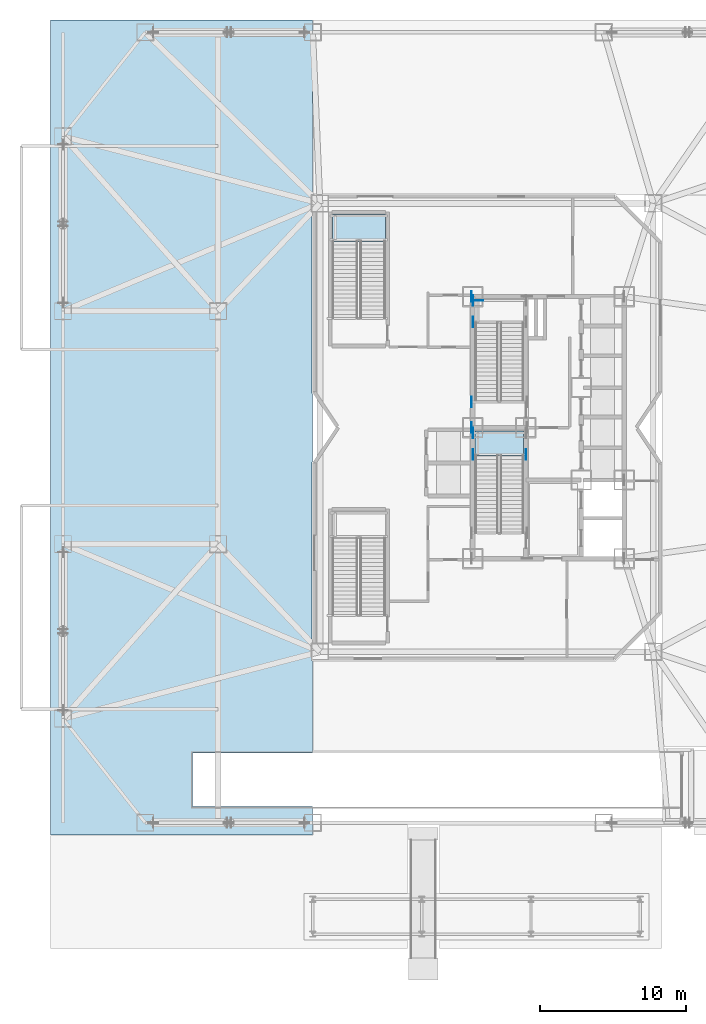
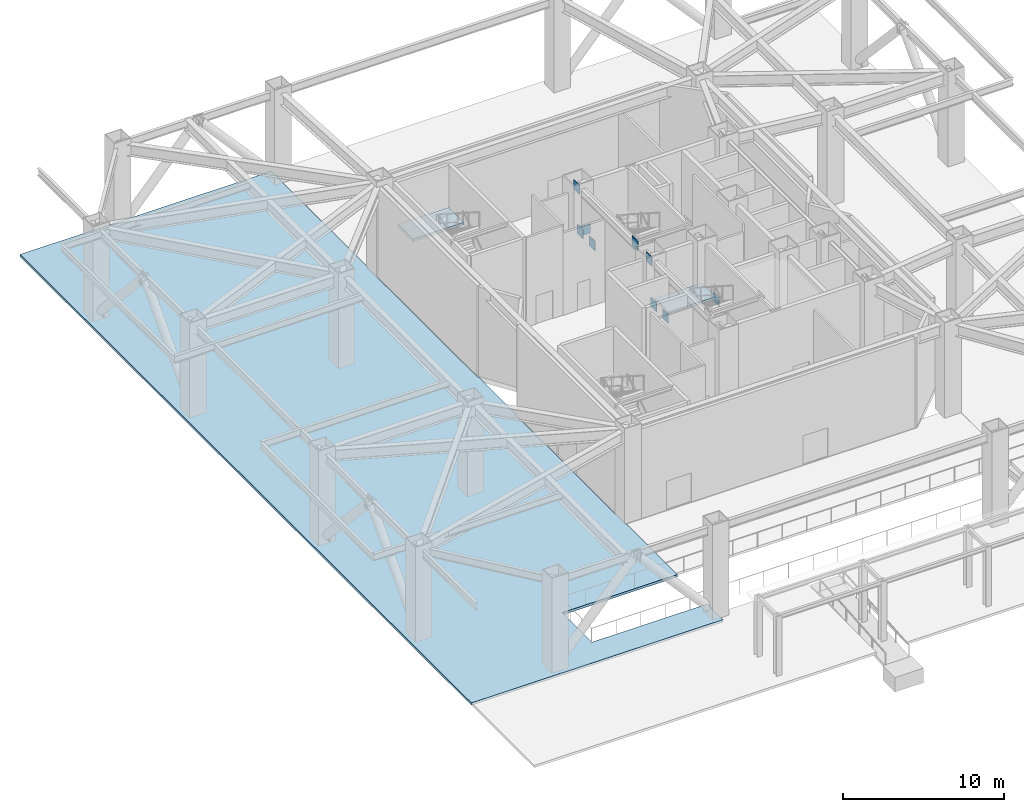
# One storey, part 5 of 14: 9 plates, 3 slabs, 2 elements without a shape of their own.
"""IFC4 building model written with IfcOpenShell, lengths in metres."""

import ifcopenshell
import ifcopenshell.guid

model = None  # the IFC model being written
_history = None  # IfcOwnerHistory: only IFC2X3 demands one
_inside = {}  # id of a spatial element -> (the spatial element, [elements in it])
_under = {}  # id of a project, library or spatial element -> (it, [spatial elements below it])
_declared = {}  # id of a project -> (the project, [libraries it declares])
_typed = {}  # id of a type object -> (the type object, [elements of that type])
_made_of = {}  # id of a material, layer set ... -> (it, [elements and type objects made of it])


def new_model(schema):
    """Start an empty IFC model of exactly this schema.

    Asked for "IFC4X3", IfcOpenShell would pick the latest addendum, in which some entities
    have other attributes; the version numbers below select the first issue.
    IFC2X3 requires an IfcOwnerHistory on every rooted entity: one is made here for all.
    """
    global model, _history
    if schema == "IFC4X3":
        model = ifcopenshell.file(schema_version=(4, 3, 0, 0))
    else:
        model = ifcopenshell.file(schema=schema)
    _inside.clear()
    _under.clear()
    _declared.clear()
    _typed.clear()
    _made_of.clear()
    _history = None
    if model.schema == "IFC2X3":
        org = make("IfcOrganization", Name="unknown")
        user = make(
            "IfcPersonAndOrganization",
            ThePerson=make("IfcPerson", FamilyName="unknown"),
            TheOrganization=org,
        )
        app = make(
            "IfcApplication",
            ApplicationDeveloper=org,
            Version="unknown",
            ApplicationFullName="unknown",
            ApplicationIdentifier="unknown",
        )
        _history = make(
            "IfcOwnerHistory",
            OwningUser=user,
            OwningApplication=app,
            ChangeAction="ADDED",
            CreationDate=0,
        )
    return model


def make(cls, **values):
    """One entity of the class cls with the attributes given. An attribute that is None is left unset."""
    return model.create_entity(
        cls, **{name: value for name, value in values.items() if value is not None}
    )


def rooted(cls, **values):
    """An entity with a GlobalId (a new one), such as an element, a storey or a relation."""
    return make(cls, GlobalId=ifcopenshell.guid.new(), OwnerHistory=_history, **values)


def si_unit(unit_type, name, prefix=None):
    """IfcSIUnit, for example si_unit("LENGTHUNIT", "METRE", prefix="MILLI")."""
    return make("IfcSIUnit", UnitType=unit_type, Prefix=prefix, Name=name)


def assignment(units):
    """IfcUnitAssignment: the units of a project."""
    return None if units is None else make("IfcUnitAssignment", Units=units)


def point(xyz):
    """IfcCartesianPoint."""
    return None if xyz is None else make("IfcCartesianPoint", Coordinates=xyz)


def direction(xyz):
    """IfcDirection."""
    return None if xyz is None else make("IfcDirection", DirectionRatios=xyz)


def frame(location, z_axis=None, x_axis=None):
    """IfcAxis2Placement3D, a coordinate frame: its origin and axes. An axis left out is left unset."""
    return make(
        "IfcAxis2Placement3D",
        Location=point(location),
        Axis=direction(z_axis),
        RefDirection=direction(x_axis),
    )


def frame_2d(location, x_axis=None):
    """IfcAxis2Placement2D, a coordinate frame in the plane: its origin and x axis."""
    return make(
        "IfcAxis2Placement2D", Location=point(location), RefDirection=direction(x_axis)
    )


def origin():
    """The frame at (0, 0, 0) with its axes left unset."""
    return frame((0.0, 0.0, 0.0))


def origin_2d():
    """The frame at (0, 0) in the plane with its x axis left unset."""
    return frame_2d((0.0, 0.0))


def place(relative_to, where):
    """IfcLocalPlacement: puts the frame where relative to a parent placement (None: the world)."""
    return make(
        "IfcLocalPlacement", PlacementRelTo=relative_to, RelativePlacement=where
    )


def context(
    kind, dimensions, precision=None, world=None, true_north=None, identifier=None
):
    """IfcGeometricRepresentationContext, for example the 3D "Model" context."""
    return make(
        "IfcGeometricRepresentationContext",
        ContextIdentifier=identifier,
        ContextType=kind,
        CoordinateSpaceDimension=dimensions,
        Precision=precision,
        WorldCoordinateSystem=world,
        TrueNorth=true_north,
    )


def subcontext(parent, identifier, kind, view, scale=None):
    """IfcGeometricRepresentationSubContext, for example "Body" below "Model"."""
    return make(
        "IfcGeometricRepresentationSubContext",
        ContextIdentifier=identifier,
        ContextType=kind,
        ParentContext=parent,
        TargetScale=scale,
        TargetView=view,
    )


def project(units=None, contexts=None):
    """IfcProject with its units and contexts."""
    return rooted(
        "IfcProject",
        Name="project",
        RepresentationContexts=contexts,
        UnitsInContext=assignment(units),
    )


def spatial(cls, under=None, at=None, **own):
    """A site, building, storey or space (cls), placed at a placement, below another one or the project."""
    s = rooted(cls, ObjectPlacement=at, **own)
    if under is not None:
        _under.setdefault(under.id(), (under, []))[1].append(s)
    return s


def polyline(points):
    """IfcPolyline through the points."""
    return make("IfcPolyline", Points=[point(p) for p in points])


def profile(cls, at=None, kind="AREA", **sizes):
    """A parametric profile (cls). Its sizes go by their IFC names, for example OverallWidth=200.0."""
    return make(cls, ProfileType=kind, Position=at, **sizes)


def rectangle(**sizes):
    """IfcRectangleProfileDef."""
    return profile("IfcRectangleProfileDef", **sizes)


def outline(outer, holes=None, kind="AREA"):
    """IfcArbitraryClosedProfileDef: a profile drawn as a closed curve; with holes, ...WithVoids."""
    if holes is None:
        return make("IfcArbitraryClosedProfileDef", ProfileType=kind, OuterCurve=outer)
    return make(
        "IfcArbitraryProfileDefWithVoids",
        ProfileType=kind,
        OuterCurve=outer,
        InnerCurves=holes,
    )


def extrude(swept, where, along, depth):
    """IfcExtrudedAreaSolid: the profile swept, set in the frame where, extruded along a direction by depth."""
    return make(
        "IfcExtrudedAreaSolid",
        SweptArea=swept,
        Position=where,
        ExtrudedDirection=direction(along),
        Depth=depth,
    )


def shape(context_of_items, identifier, shape_type, items):
    """IfcShapeRepresentation: the items that make up one representation, for example the "Body"."""
    return make(
        "IfcShapeRepresentation",
        ContextOfItems=context_of_items,
        RepresentationIdentifier=identifier,
        RepresentationType=shape_type,
        Items=items,
    )


def material(Name=None, Category=None):
    """IfcMaterial."""
    return make("IfcMaterial", Name=Name, Category=Category)


def layer(
    of_material, thickness, ventilated=None, Name=None, Category=None, Priority=None
):
    """IfcMaterialLayer: one layer of a wall or slab, of a material (None: an air gap)."""
    return make(
        "IfcMaterialLayer",
        Material=of_material,
        LayerThickness=thickness,
        IsVentilated=ventilated,
        Name=Name,
        Category=Category,
        Priority=Priority,
    )


def layer_set(layers, Name=None):
    """IfcMaterialLayerSet."""
    return make("IfcMaterialLayerSet", MaterialLayers=layers, LayerSetName=Name)


def made_of(thing, what):
    """Note that an element or type object is made of a material, layer set ...; save() writes the relation."""
    if what is not None:
        _made_of.setdefault(what.id(), (what, []))[1].append(thing)
    return thing


def type_object(cls, material=None, **own):
    """A type object (cls), such as IfcWallType, which elements share."""
    return made_of(rooted(cls, **own), material)


def element(
    cls,
    number,
    at=None,
    inside=None,
    cuts=None,
    type_object=None,
    material=None,
    context=None,
    identifier="Body",
    shape_type=None,
    held_by="IfcProductDefinitionShape",
    body=None,
    shapes=None,
    **own,
):
    """One element of the class cls, such as IfcWall. Its Tag is "e" and its number.

    at: its placement. inside: the storey or other place that contains it. cuts: it is an
    opening in that element (IfcRelVoidsElement). A single representation is given by context,
    identifier, shape_type and body (its items); several are given by shapes. held_by: the class
    of the entity that holds the representations. save() writes the other relations.
    """
    e = rooted(cls, Tag="e%d" % number, ObjectPlacement=at, **own)
    if body is not None:
        shapes = [shape(context, identifier, shape_type, body)]
    if shapes is not None:
        e.Representation = make(held_by, Representations=shapes)
    if inside is not None:
        _inside.setdefault(inside.id(), (inside, []))[1].append(e)
    if cuts is not None:
        rooted(
            "IfcRelVoidsElement", RelatingBuildingElement=cuts, RelatedOpeningElement=e
        )
    if type_object is not None:
        _typed.setdefault(type_object.id(), (type_object, []))[1].append(e)
    return made_of(e, material)


def aggregate(whole, parts):
    """IfcRelAggregates: a whole, such as a stair, and the parts it consists of."""
    return rooted("IfcRelAggregates", RelatingObject=whole, RelatedObjects=parts)


def save(model, path):
    """Write the relations noted so far, then the file.

    IfcRelAggregates (storeys below a building ...), IfcRelContainedInSpatialStructure (elements
    in a storey), IfcRelDefinesByType, IfcRelAssociatesMaterial and IfcRelDeclares: one each for
    every whole, place, type object, material and project.
    """
    for whole, parts in _under.values():
        aggregate(whole, parts)
    for where, things in _inside.values():
        rooted(
            "IfcRelContainedInSpatialStructure",
            RelatedElements=things,
            RelatingStructure=where,
        )
    for kind, things in _typed.values():
        rooted("IfcRelDefinesByType", RelatedObjects=things, RelatingType=kind)
    for what, things in _made_of.values():
        rooted("IfcRelAssociatesMaterial", RelatedObjects=things, RelatingMaterial=what)
    for by, libraries in _declared.values():
        rooted("IfcRelDeclares", RelatingContext=by, RelatedDefinitions=libraries)
    model.write(path)


model = new_model("IFC4")

# Units and contexts
model_context = context("Model", 3, precision=1e-05, world=origin(), true_north=direction((0.0, 1.0)))
body_context = subcontext(model_context, "Body", "Model", "MODEL_VIEW")
ifc_project = project(units=[si_unit("LENGTHUNIT", "METRE"), si_unit("AREAUNIT", "SQUARE_METRE"), si_unit("VOLUMEUNIT", "CUBIC_METRE"), si_unit("PLANEANGLEUNIT", "RADIAN"), si_unit("MASSUNIT", "GRAM", prefix="KILO")], contexts=[model_context])

# Site, building, storey
site_placement = place(None, origin())
site = spatial("IfcSite", under=ifc_project, at=site_placement, CompositionType="ELEMENT")
building_placement = place(site_placement, origin())
building = spatial("IfcBuilding", under=site, at=building_placement, Name="Khamvora Tower", CompositionType="ELEMENT")
storey_placement = place(building_placement, origin())
storey = spatial("IfcBuildingStorey", under=building, at=storey_placement, Name="L00", CompositionType="ELEMENT", Elevation=0.0)

# Plates
ifc_material_1 = material(Name="Steel S460", Category="steel")
ifc_layer_1 = layer(ifc_material_1, 0.034912109375)
ifc_layer_set_1 = layer_set([ifc_layer_1], Name="Steel S460")
plate_type = type_object("IfcPlateType", Name="PL-EMB-35", PredefinedType="SHEET", material=ifc_layer_set_1)
for number, where, z_axis, x_axis, name in (
    (1, (29.0, 26.155029296875, 2.9091796875), (0.0, 0.0, 1.0), (1.0, 0.0, 0.0), "L00 core shear wall cast-in embed plate 0055"),
    (2, (32.64990234375, 26.155029296875, 2.9091796875), (0.0, 0.0, 1.0), (1.0, 0.0, 0.0), "L00 core shear wall cast-in embed plate 0056"),
    (3, (29.0, 27.6298828125, 2.9091796875), (0.0, 0.0, 1.0), (1.0, 0.0, 0.0), "L00 core shear wall cast-in embed plate 0057"),
    (4, (29.0, 35.2548828125, 2.9091796875), (0.0, 0.0, 1.0), (1.0, 0.0, 0.0), "L00 core shear wall cast-in embed plate 0059"),
    (5, (29.0, 36.72998046875, 2.9091796875), (0.0, 0.0, 1.0), (1.0, 0.0, 0.0), "L00 core shear wall cast-in embed plate 0061"),
):
    element("IfcPlate", number, at=place(storey_placement, frame(where, z_axis=z_axis, x_axis=x_axis)), inside=storey, type_object=plate_type, Name=name, PredefinedType="SHEET", context=body_context, shape_type="SweptSolid", body=[
        extrude(rectangle(XDim=0.034912109375, YDim=0.719970703125, at=origin_2d()), origin(), (0.0, 0.0, 1.0), 0.719970703125),
    ])
plate_placement = place(storey_placement, frame((29.35009765625, 36.72998046875, 2.9091796875), z_axis=(0.0, 0.0, 1.0), x_axis=(1.0, 0.0, 0.0)))
element("IfcPlate", 6, at=plate_placement, inside=storey, type_object=plate_type, Name="L00 core shear wall cast-in embed plate 0063", PredefinedType="SHEET", context=body_context, shape_type="SweptSolid", body=[
    extrude(rectangle(XDim=0.719970703125, YDim=0.034912109375, at=origin_2d()), origin(), (0.0, 0.0, 1.0), 0.719970703125),
])
for number, where, z_axis, x_axis, name in (
    (7, (28.89990234375, 28.0, 6.15380859375), (0.0, 0.0, 1.0), (1.0, 0.0, 0.0), "L00 core shear wall cast-in embed plate 0067"),
    (8, (28.89990234375, 37.0, 6.15380859375), (0.0, 0.0, 1.0), (1.0, 0.0, 0.0), "L00 core shear wall cast-in embed plate 0068"),
    (9, (28.89990234375, 29.75, 6.2939453125), (0.0, 0.0, 1.0), (1.0, 0.0, 0.0), "L00 core shear wall cast-in embed plate 0077"),
):
    element("IfcPlate", number, at=place(storey_placement, frame(where, z_axis=z_axis, x_axis=x_axis)), inside=storey, type_object=plate_type, Name=name, PredefinedType="SHEET", context=body_context, shape_type="SweptSolid", body=[
        extrude(rectangle(XDim=0.034912109375, YDim=0.719970703125, at=origin_2d()), origin(), (0.0, 0.0, 1.0), 0.719970703125),
    ])

# Stair, slab
ifc_material_2 = material(Name="Concrete C40/50", Category="concrete")
stair_type_1 = type_object("IfcStairType", Name="STR-ST-01", PredefinedType="HALF_TURN_STAIR", material=ifc_material_2)
stair_1_placement = place(storey_placement, origin())
stair_1 = element("IfcStair", 10, at=stair_1_placement, inside=storey, type_object=stair_type_1, Name="L00 South Tower Exit Stair ST-01", PredefinedType="HALF_TURN_STAIR")
ifc_layer_2 = layer(ifc_material_2, 0.199951171875)
ifc_layer_set_2 = layer_set([ifc_layer_2], Name="Concrete C40/50")
slab_type_1 = type_object("IfcSlabType", Name="SLB-LND-200", PredefinedType="LANDING", material=ifc_layer_set_2)
slab_1_placement = place(storey_placement, frame((0.0, 0.0, 3.39990234375)))
slab_1 = element("IfcSlab", 11, at=slab_1_placement, type_object=slab_type_1, Name="ST-01 landing 1", PredefinedType="LANDING", context=body_context, shape_type="SweptSolid", body=[
    extrude(outline(polyline([(32.5, 26.034912109375), (32.5, 27.75), (29.14990234375, 27.75), (29.14990234375, 26.034912109375), (32.5, 26.034912109375)])), origin(), (0.0, 0.0, 1.0), 0.2001953125),
])
aggregate(stair_1, [slab_1])

stair_type_2 = type_object("IfcStairType", Name="STR-ST-04", PredefinedType="HALF_TURN_STAIR", material=ifc_material_2)
stair_2_placement = place(storey_placement, origin())
stair_2 = element("IfcStair", 12, at=stair_2_placement, inside=storey, type_object=stair_type_2, Name="L00 North School Podium Stair ST-04", PredefinedType="HALF_TURN_STAIR")
slab_2_placement = place(storey_placement, frame((0.0, 0.0, 3.39990234375)))
slab_2 = element("IfcSlab", 13, at=slab_2_placement, type_object=slab_type_1, Name="ST-04 landing 1", PredefinedType="LANDING", context=body_context, shape_type="SweptSolid", body=[
    extrude(outline(polyline([(23.0, 40.784912109375), (23.0, 42.64990234375), (19.35009765625, 42.64990234375), (19.35009765625, 40.784912109375), (23.0, 40.784912109375)])), origin(), (0.0, 0.0, 1.0), 0.2001953125),
])
aggregate(stair_2, [slab_2])

# Slab
ifc_material_3 = material(Name="Concrete C35/45", Category="concrete")
ifc_layer_3 = layer(ifc_material_3, 0.179931640625)
ifc_layer_set_3 = layer_set([ifc_layer_3], Name="Concrete C35/45")
slab_type_2 = type_object("IfcSlabType", Name="SLB-PAV-180", PredefinedType="USERDEFINED", material=ifc_layer_set_3)
slab_3_placement = place(storey_placement, frame((0.0, 0.0, -0.179931640625)))
element("IfcSlab", 14, at=slab_3_placement, inside=storey, type_object=slab_type_2, Name="L00 flood-protected public plaza paving apron WEST", ObjectType="PAVING", PredefinedType="USERDEFINED", context=body_context, shape_type="SweptSolid", body=[
    extrude(outline(polyline([(18.0, 0.0), (0.0, 0.0), (0.0, 56.0), (18.0, 56.0), (18.0, 44.050048828125), (17.9951171875, 44.050048828125), (17.989990234375, 44.049072265625), (17.985107421875, 44.048095703125), (17.98095703125, 44.0458984375), (17.97607421875, 44.0439453125), (17.971923828125, 44.0419921875), (17.968017578125, 44.0390625), (17.965087890625, 44.034912109375), (17.9609375, 44.031982421875), (17.9580078125, 44.028076171875), (17.9560546875, 44.02392578125), (17.9541015625, 44.01904296875), (17.951904296875, 44.014892578125), (17.950927734375, 44.010009765625), (17.949951171875, 44.0048828125), (17.949951171875, 44.0), (17.949951171875, 30.39990234375), (17.949951171875, 30.39501953125), (17.950927734375, 30.389892578125), (17.951904296875, 30.385986328125), (17.9541015625, 30.381103515625), (17.9560546875, 30.3759765625), (17.9580078125, 30.3720703125), (18.0, 30.31005859375), (18.0, 25.68994140625), (17.9580078125, 25.6279296875), (17.9560546875, 25.6240234375), (17.9541015625, 25.618896484375), (17.951904296875, 25.614013671875), (17.950927734375, 25.610107421875), (17.949951171875, 25.60498046875), (17.949951171875, 25.60009765625), (17.949951171875, 12.0), (17.949951171875, 11.9951171875), (17.950927734375, 11.989990234375), (17.951904296875, 11.985107421875), (17.9541015625, 11.98095703125), (17.9560546875, 11.97607421875), (17.9580078125, 11.971923828125), (17.9609375, 11.968017578125), (17.965087890625, 11.965087890625), (17.968017578125, 11.9609375), (17.971923828125, 11.9580078125), (17.97607421875, 11.9560546875), (17.98095703125, 11.9541015625), (17.985107421875, 11.951904296875), (17.989990234375, 11.950927734375), (17.9951171875, 11.949951171875), (18.0, 11.949951171875), (18.0, 5.639892578125), (9.760009765625, 5.639892578125), (9.760009765625, 1.9599609375), (18.0, 1.9599609375), (18.0, 0.0)])), origin(), (0.0, 0.0, 1.0), 0.179931640625),
])

save(model, "model.ifc")
